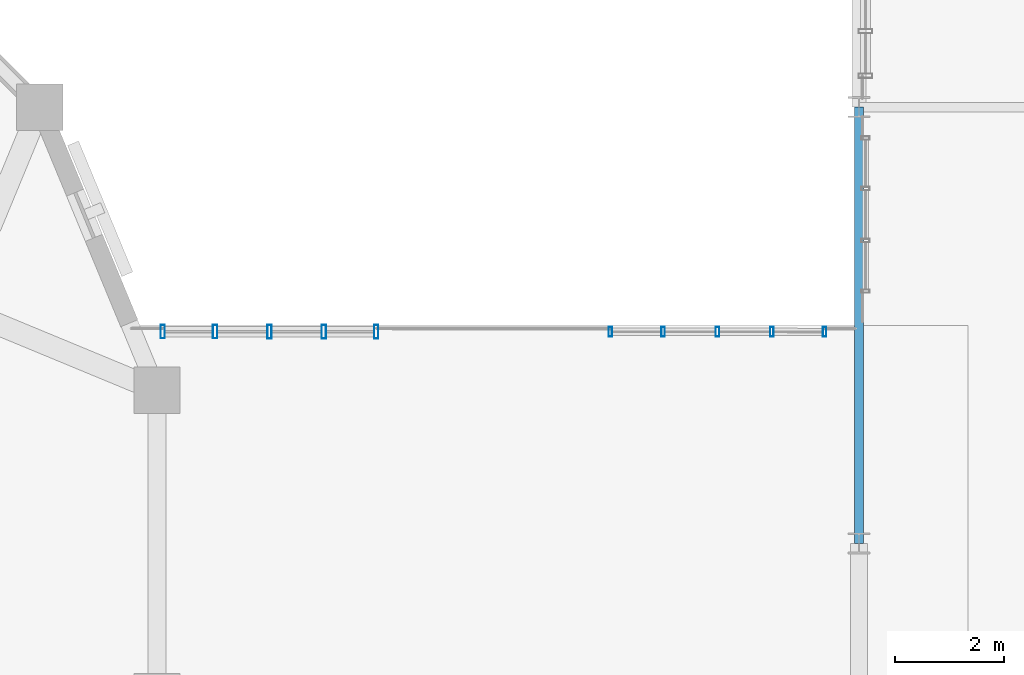
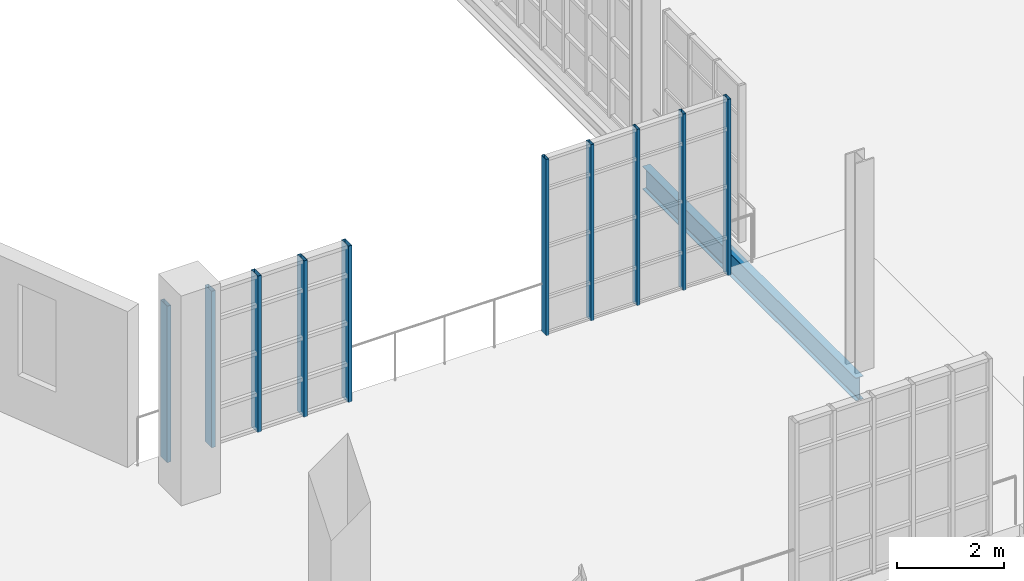
# One storey, part 45 of 122: 10 members, 1 beam, 2 elements without a shape of their own.
"""IFC4 building model written with IfcOpenShell, lengths in metres."""

from ifc_helpers import new_model, si_unit, direction, frame, origin, origin_2d, place, context, subcontext, project, spatial, hollow_rectangle, i_section, extrude, material, layer, layer_set, material_profile, profile_set, type_object, element, aggregate, save


model = new_model("IFC4")

# Units and contexts
model_context = context("Model", 3, precision=1e-05, world=origin(), true_north=direction((0.0, 1.0)))
body_context = subcontext(model_context, "Body", "Model", "MODEL_VIEW")
ifc_project = project(units=[si_unit("LENGTHUNIT", "METRE"), si_unit("AREAUNIT", "SQUARE_METRE"), si_unit("VOLUMEUNIT", "CUBIC_METRE"), si_unit("PLANEANGLEUNIT", "RADIAN"), si_unit("MASSUNIT", "GRAM", prefix="KILO"), si_unit("THERMODYNAMICTEMPERATUREUNIT", "KELVIN"), si_unit("POWERUNIT", "WATT")], contexts=[model_context])

# Site, building, storey
site_placement = place(None, origin())
site = spatial("IfcSite", under=ifc_project, at=site_placement, CompositionType="ELEMENT")
building_placement = place(site_placement, origin())
building = spatial("IfcBuilding", under=site, at=building_placement, Name="Zelmaris Science Centre", CompositionType="ELEMENT")
storey_placement = place(building_placement, frame((0.0, 0.0, 10.800048828125)))
storey = spatial("IfcBuildingStorey", under=building, at=storey_placement, Name="L02", CompositionType="ELEMENT", Elevation=10.800048828125)

# Curtain wall, members
ifc_material_1 = material(Name="Anodised architectural aluminium 6063-T6", Category="aluminium")
ifc_layer_1 = layer(ifc_material_1, 0.2099609375, Name="Anodised architectural aluminium 6063-T6")
ifc_layer_set_1 = layer_set([ifc_layer_1], Name="Anodised architectural aluminium 6063-T6")
curtain_wall_type_1 = type_object("IfcCurtainWallType", Name="Curtain Wall CW-03", PredefinedType="USERDEFINED", material=ifc_layer_set_1)
curtain_wall_1_placement = place(storey_placement, origin())
curtain_wall_1 = element("IfcCurtainWall", 1, at=curtain_wall_1_placement, inside=storey, type_object=curtain_wall_type_1, Name="L02 Unitised curtain wall 203", ObjectType="GLAZED CURTAIN WALL", PredefinedType="USERDEFINED")
ifc_material_profile_1 = material_profile(ifc_material_1, hollow_rectangle(XDim=0.06494140625, YDim=0.179931640625, WallThickness=0.00390625, at=origin_2d()), Name="ALU-MUL-65X180")
ifc_profile_set_1 = profile_set([ifc_material_profile_1], Name="Anodised architectural aluminium 6063-T6")
member_type_1 = type_object("IfcMemberType", Name="ALU-MUL-65X180", PredefinedType="MULLION", material=ifc_profile_set_1)
member_1_placement = place(storey_placement, frame((49.439453125, 75.880859375, -0.01513671875), z_axis=(0.0, 0.0, 1.0), x_axis=(0.999999981234, -0.000193731546, 0.0)))
member_1 = element("IfcMember", 2, at=member_1_placement, type_object=member_type_1, Name="CW-03 mullion 1", PredefinedType="MULLION", context=body_context, shape_type="SweptSolid", body=[
    extrude(hollow_rectangle(XDim=0.06494140625, YDim=0.179931640625, WallThickness=0.00390625, at=origin_2d()), origin(), (0.0, 0.0, 1.0), 4.03515625),
])
member_2_placement = place(storey_placement, frame((50.408203125, 75.880615234375, -0.01513671875), z_axis=(0.0, 0.0, 1.0), x_axis=(0.999999981234, -0.000193731546, 0.0)))
member_2 = element("IfcMember", 3, at=member_2_placement, type_object=member_type_1, Name="CW-03 mullion 2", PredefinedType="MULLION", context=body_context, shape_type="SweptSolid", body=[
    extrude(hollow_rectangle(XDim=0.06494140625, YDim=0.179931640625, WallThickness=0.00390625, at=origin_2d()), origin(), (0.0, 0.0, 1.0), 4.03515625),
])
member_3_placement = place(storey_placement, frame((51.405517578125, 75.880615234375, -0.01513671875), z_axis=(0.0, 0.0, 1.0), x_axis=(0.999999981234, -0.000193731546, 0.0)))
member_3 = element("IfcMember", 4, at=member_3_placement, type_object=member_type_1, Name="CW-03 mullion 3", PredefinedType="MULLION", context=body_context, shape_type="SweptSolid", body=[
    extrude(hollow_rectangle(XDim=0.06494140625, YDim=0.179931640625, WallThickness=0.00390625, at=origin_2d()), origin(), (0.0, 0.0, 1.0), 4.03515625),
])
member_4_placement = place(storey_placement, frame((52.40283203125, 75.88037109375, -0.01513671875), z_axis=(0.0, 0.0, 1.0), x_axis=(0.999999981234, -0.000193731546, 0.0)))
member_4 = element("IfcMember", 5, at=member_4_placement, type_object=member_type_1, Name="CW-03 mullion 4", PredefinedType="MULLION", context=body_context, shape_type="SweptSolid", body=[
    extrude(hollow_rectangle(XDim=0.06494140625, YDim=0.179931640625, WallThickness=0.00390625, at=origin_2d()), origin(), (0.0, 0.0, 1.0), 4.03515625),
])
member_5_placement = place(storey_placement, frame((53.37158203125, 75.880126953125, -0.01513671875), z_axis=(0.0, 0.0, 1.0), x_axis=(0.999999981234, -0.000193731546, 0.0)))
member_5 = element("IfcMember", 6, at=member_5_placement, type_object=member_type_1, Name="CW-03 mullion 5", PredefinedType="MULLION", context=body_context, shape_type="SweptSolid", body=[
    extrude(hollow_rectangle(XDim=0.06494140625, YDim=0.179931640625, WallThickness=0.00390625, at=origin_2d()), origin(), (0.0, 0.0, 1.0), 4.03515625),
])
aggregate(curtain_wall_1, [member_1, member_2, member_3, member_4, member_5])

ifc_layer_2 = layer(ifc_material_1, 0.18994140625, Name="Anodised architectural aluminium 6063-T6")
ifc_layer_set_2 = layer_set([ifc_layer_2], Name="Anodised architectural aluminium 6063-T6")
curtain_wall_type_2 = type_object("IfcCurtainWallType", Name="Curtain Wall CW-01", PredefinedType="USERDEFINED", material=ifc_layer_set_2)
curtain_wall_2_placement = place(storey_placement, origin())
curtain_wall_2 = element("IfcCurtainWall", 7, at=curtain_wall_2_placement, inside=storey, type_object=curtain_wall_type_2, Name="L02 Unitised curtain wall 201", ObjectType="GLAZED CURTAIN WALL", PredefinedType="USERDEFINED")
ifc_material_profile_2 = material_profile(ifc_material_1, hollow_rectangle(XDim=0.080078125, YDim=0.25, WallThickness=0.0048828125, at=origin_2d()), Name="ALU-MUL-80X250")
ifc_profile_set_2 = profile_set([ifc_material_profile_2], Name="Anodised architectural aluminium 6063-T6")
member_type_2 = type_object("IfcMemberType", Name="ALU-MUL-80X250", PredefinedType="MULLION", material=ifc_profile_set_2)
member_6_placement = place(storey_placement, frame((41.228759765625, 75.882568359375, -0.01513671875), z_axis=(0.0, 0.0, 1.0), x_axis=(0.999999981234, -0.000193731546, 0.0)))
member_6 = element("IfcMember", 8, at=member_6_placement, type_object=member_type_2, Name="CW-01 mullion 1", PredefinedType="MULLION", context=body_context, shape_type="SweptSolid", body=[
    extrude(hollow_rectangle(XDim=0.080078125, YDim=0.25, WallThickness=0.0048828125, at=origin_2d()), origin(), (0.0, 0.0, 1.0), 3.580078125),
])
member_7_placement = place(storey_placement, frame((42.18994140625, 75.88232421875, -0.01513671875), z_axis=(0.0, 0.0, 1.0), x_axis=(0.999999981234, -0.000193731546, 0.0)))
member_7 = element("IfcMember", 9, at=member_7_placement, type_object=member_type_2, Name="CW-01 mullion 2", PredefinedType="MULLION", context=body_context, shape_type="SweptSolid", body=[
    extrude(hollow_rectangle(XDim=0.080078125, YDim=0.25, WallThickness=0.0048828125, at=origin_2d()), origin(), (0.0, 0.0, 1.0), 3.580078125),
])
member_8_placement = place(storey_placement, frame((43.187255859375, 75.882080078125, -0.01513671875), z_axis=(0.0, 0.0, 1.0), x_axis=(0.999999981234, -0.000193731546, 0.0)))
member_8 = element("IfcMember", 10, at=member_8_placement, type_object=member_type_2, Name="CW-01 mullion 3", PredefinedType="MULLION", context=body_context, shape_type="SweptSolid", body=[
    extrude(hollow_rectangle(XDim=0.080078125, YDim=0.25, WallThickness=0.0048828125, at=origin_2d()), origin(), (0.0, 0.0, 1.0), 3.580078125),
])
member_9_placement = place(storey_placement, frame((44.1845703125, 75.8818359375, -0.01513671875), z_axis=(0.0, 0.0, 1.0), x_axis=(0.999999981234, -0.000193731546, 0.0)))
member_9 = element("IfcMember", 11, at=member_9_placement, type_object=member_type_2, Name="CW-01 mullion 4", PredefinedType="MULLION", context=body_context, shape_type="SweptSolid", body=[
    extrude(hollow_rectangle(XDim=0.080078125, YDim=0.25, WallThickness=0.0048828125, at=origin_2d()), origin(), (0.0, 0.0, 1.0), 3.580078125),
])
member_10_placement = place(storey_placement, frame((45.145751953125, 75.881591796875, -0.01513671875), z_axis=(0.0, 0.0, 1.0), x_axis=(0.999999981234, -0.000193731546, 0.0)))
member_10 = element("IfcMember", 12, at=member_10_placement, type_object=member_type_2, Name="CW-01 mullion 5", PredefinedType="MULLION", context=body_context, shape_type="SweptSolid", body=[
    extrude(hollow_rectangle(XDim=0.080078125, YDim=0.25, WallThickness=0.0048828125, at=origin_2d()), origin(), (0.0, 0.0, 1.0), 3.580078125),
])
aggregate(curtain_wall_2, [member_6, member_7, member_8, member_9, member_10])

# Beam
ifc_material_2 = material(Name="Steel ASTM A992 Grade 50", Category="steel")
ifc_material_profile_3 = material_profile(ifc_material_2, i_section(OverallWidth=0.1650390625, OverallDepth=0.52587890625, WebThickness=0.0087890625, FlangeThickness=0.011474609375, FilletRadius=0.013916015625, at=origin_2d()), Name="W21X44")
ifc_profile_set_3 = profile_set([ifc_material_profile_3], Name="Steel ASTM A992 Grade 50")
beam_type = type_object("IfcBeamType", Name="Beam G-40 W21X44", PredefinedType="BEAM", material=ifc_profile_set_3)
beam_placement = place(storey_placement, frame((54.0, 72.0, -0.52294921875), z_axis=(0.0, 1.0, 0.0), x_axis=(-1.0, 0.0, 0.0)))
element("IfcBeam", 13, at=beam_placement, inside=storey, type_object=beam_type, Name="L02 North-south girder 494", PredefinedType="BEAM", context=body_context, shape_type="SweptSolid", body=[
    extrude(i_section(OverallWidth=0.1650390625, OverallDepth=0.52587890625, WebThickness=0.0087890625, FlangeThickness=0.011474609375, FilletRadius=0.013916015625, at=origin_2d()), origin(), (0.0, 0.0, 1.0), 8.0),
])

save(model, "model.ifc")
